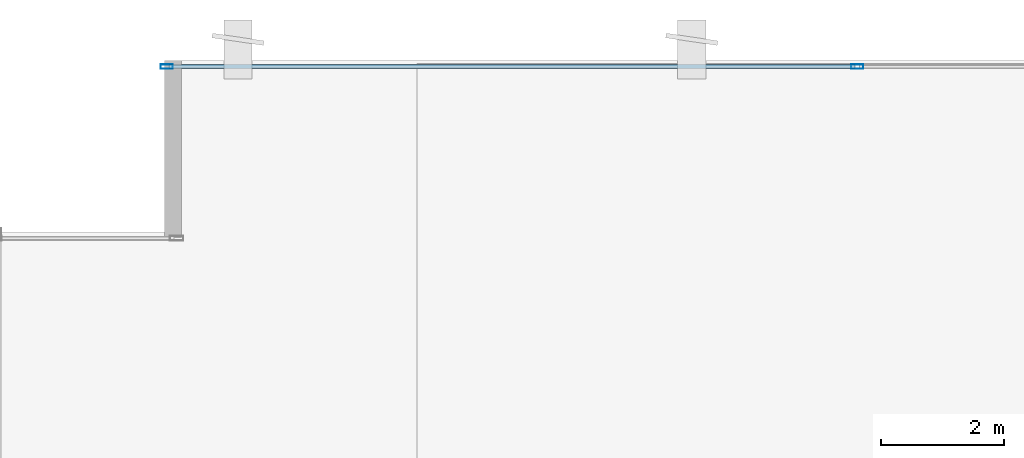
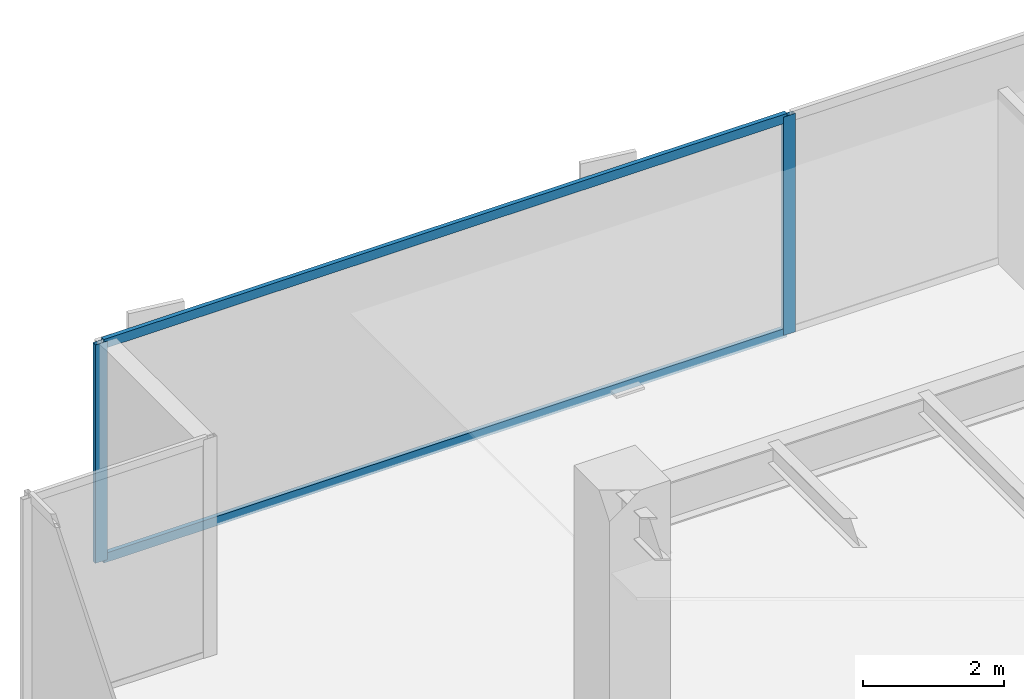
# One storey, part 15 of 37: 4 members, 1 element without a shape of its own.
"""IFC4 building model written with IfcOpenShell, lengths in metres."""

from ifc_helpers import new_model, si_unit, direction, frame, origin, origin_2d, place, context, subcontext, project, spatial, hollow_rectangle, extrude, source, transform, mapped, material, layer, layer_set, material_profile, profile_set, type_object, type_shapes, element, aggregate, save


model = new_model("IFC4")

# Units and contexts
model_context = context("Model", 3, precision=1e-05, world=origin(), true_north=direction((0.0, 1.0)))
body_context = subcontext(model_context, "Body", "Model", "MODEL_VIEW")
ifc_project = project(units=[si_unit("LENGTHUNIT", "METRE"), si_unit("AREAUNIT", "SQUARE_METRE"), si_unit("VOLUMEUNIT", "CUBIC_METRE"), si_unit("PLANEANGLEUNIT", "RADIAN"), si_unit("MASSUNIT", "GRAM", prefix="KILO")], contexts=[model_context])

# Site, building, storey
site_placement = place(None, origin())
site = spatial("IfcSite", under=ifc_project, at=site_placement, CompositionType="ELEMENT")
building_placement = place(site_placement, origin())
building = spatial("IfcBuilding", under=site, at=building_placement, Name="Haelvirn Gate Laboratories", CompositionType="ELEMENT")
storey_placement = place(building_placement, frame((0.0, 0.0, 74.39990234375)))
storey = spatial("IfcBuildingStorey", under=building, at=storey_placement, Name="L18", CompositionType="ELEMENT", Elevation=74.39990234375)

# Curtain wall, members
ifc_material_1 = material(Name="Anodised bronze unitised aluminium & triple low-E glass", Category="aluminium")
ifc_layer = layer(ifc_material_1, 0.18408203125, Name="CW-SYS-2")
ifc_layer_set = layer_set([ifc_layer], Name="Anodised bronze unitised aluminium & triple low-E glass")
curtain_wall_type = type_object("IfcCurtainWallType", Name="CW-SYS-2", PredefinedType="NOTDEFINED", material=ifc_layer_set)
curtain_wall_placement = place(storey_placement, origin())
curtain_wall = element("IfcCurtainWall", 1, at=curtain_wall_placement, inside=storey, type_object=curtain_wall_type, Name="L18 Unitised Curtain Wall CW-L18-P0-E14-1", PredefinedType="NOTDEFINED")
ifc_material_2 = material(Name="Extruded aluminium 6063-T6 (anodised bronze)", Category="aluminium")
ifc_material_profile_1 = material_profile(ifc_material_2, hollow_rectangle(XDim=0.074951171875, YDim=0.199951171875, WallThickness=0.0048828125, at=origin_2d()), Name="CWM-200x75x5")
ifc_profile_set_1 = profile_set([ifc_material_profile_1], Name="Extruded aluminium 6063-T6 (anodised bronze)")
member_type_1 = type_object("IfcMemberType", Name="CWM-T200", PredefinedType="MULLION", material=ifc_profile_set_1)
shared_shape_1 = source(origin(), body_context, "Body", "SweptSolid", [
    extrude(hollow_rectangle(XDim=0.074951171875, YDim=0.199951171875, WallThickness=0.0048828125, at=origin_2d()), origin(), (0.0, 0.0, 1.0), 3.780029296875),
])
type_shapes(member_type_1, [shared_shape_1])
member_1_placement = place(storey_placement, frame((2.83740234375, 48.5, 0.0), z_axis=(0.0, 0.0, 1.0), x_axis=(0.0, 1.0, 0.0)))
member_1 = element("IfcMember", 2, at=member_1_placement, type_object=member_type_1, Name="CW2 mullion 1", PredefinedType="MULLION", context=body_context, shape_type="MappedRepresentation", body=[
    mapped(shared_shape_1, transform((0.0, 0.0, 0.0), scale=1.0)),
])
member_2_placement = place(storey_placement, frame((14.10009765625, 48.5, 0.0), z_axis=(0.0, 0.0, 1.0), x_axis=(0.0, 1.0, 0.0)))
member_2 = element("IfcMember", 3, at=member_2_placement, type_object=member_type_1, Name="CW2 mullion 2", PredefinedType="MULLION", context=body_context, shape_type="MappedRepresentation", body=[
    mapped(shared_shape_1, transform((0.0, 0.0, 0.0), scale=1.0)),
])
ifc_material_profile_2 = material_profile(ifc_material_2, hollow_rectangle(XDim=0.070068359375, YDim=0.159912109375, WallThickness=0.0048828125, at=origin_2d()), Name="CWT-160x70x5")
ifc_profile_set_2 = profile_set([ifc_material_profile_2], Name="Extruded aluminium 6063-T6 (anodised bronze)")
member_type_2 = type_object("IfcMemberType", Name="CWT-T160", PredefinedType="USERDEFINED", material=ifc_profile_set_2)
shared_shape_2 = source(origin(), body_context, "Body", "SweptSolid", [
    extrude(hollow_rectangle(XDim=0.070068359375, YDim=0.159912109375, WallThickness=0.0048828125, at=origin_2d()), origin(), (0.0, 0.0, 1.0), 11.1875),
])
type_shapes(member_type_2, [shared_shape_2])
member_3_placement = place(storey_placement, frame((2.875, 48.5, 0.03515625), z_axis=(1.0, 0.0, 0.0), x_axis=(0.0, 1.0, 0.0)))
member_3 = element("IfcMember", 4, at=member_3_placement, type_object=member_type_2, Name="CW2 transom 1.1", ObjectType="TRANSOM", PredefinedType="USERDEFINED", context=body_context, shape_type="MappedRepresentation", body=[
    mapped(shared_shape_2, transform((0.0, 0.0, 0.0), scale=1.0)),
])
member_4_placement = place(storey_placement, frame((2.875, 48.5, 3.7451171875), z_axis=(1.0, 0.0, 0.0), x_axis=(0.0, 1.0, 0.0)))
member_4 = element("IfcMember", 5, at=member_4_placement, type_object=member_type_2, Name="CW2 transom 1.2", ObjectType="TRANSOM", PredefinedType="USERDEFINED", context=body_context, shape_type="MappedRepresentation", body=[
    mapped(shared_shape_2, transform((0.0, 0.0, 0.0), scale=1.0)),
])
aggregate(curtain_wall, [member_1, member_2, member_3, member_4])

save(model, "model.ifc")
